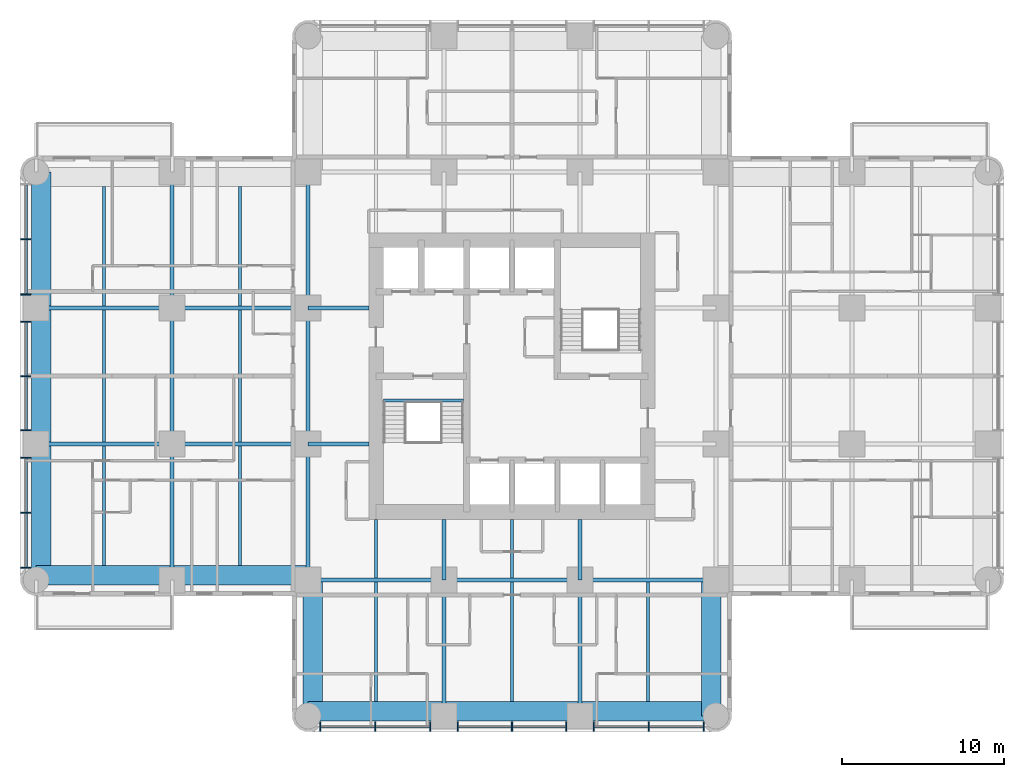
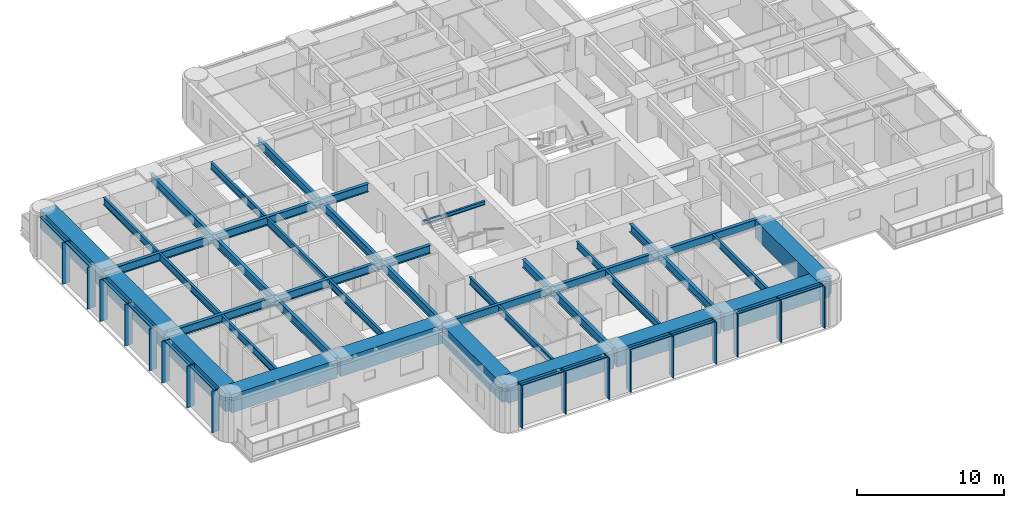
# One storey, part 2 of 15: 41 beams, 29 members, 2 elements without a shape of their own.
"""IFC4 building model written with IfcOpenShell, lengths in metres."""

from ifc_helpers import new_model, si_unit, direction, frame, origin, origin_2d, place, context, subcontext, project, spatial, rectangle, i_section, extrude, material, material_profile, profile_set, type_object, element, aggregate, save


model = new_model("IFC4")

# Units and contexts
model_context = context("Model", 3, precision=1e-05, world=origin(), true_north=direction((0.0, 1.0)))
body_context = subcontext(model_context, "Body", "Model", "MODEL_VIEW")
ifc_project = project(units=[si_unit("LENGTHUNIT", "METRE"), si_unit("AREAUNIT", "SQUARE_METRE"), si_unit("VOLUMEUNIT", "CUBIC_METRE"), si_unit("PLANEANGLEUNIT", "RADIAN"), si_unit("MASSUNIT", "GRAM", prefix="KILO")], contexts=[model_context])

# Site, building, storey
site_placement = place(None, origin())
site = spatial("IfcSite", under=ifc_project, at=site_placement, CompositionType="ELEMENT")
building_placement = place(site_placement, origin())
building = spatial("IfcBuilding", under=site, at=building_placement, Name="Torre Alcanfor", CompositionType="ELEMENT")
storey_placement = place(building_placement, frame((0.0, 0.0, 119.699951171875)))
storey = spatial("IfcBuildingStorey", under=building, at=storey_placement, Name="L30", CompositionType="ELEMENT", Elevation=119.699951171875)

# Curtain wall, members
ifc_material_1 = material(Name="Aluminium and glass", Category="aluminium")
curtain_wall_type = type_object("IfcCurtainWallType", Name="CW-A unitised apartment glazing with vertical FIN", PredefinedType="NOTDEFINED", material=ifc_material_1)
curtain_wall_1_placement = place(storey_placement, origin())
curtain_wall_1 = element("IfcCurtainWall", 1, at=curtain_wall_1_placement, inside=storey, type_object=curtain_wall_type, Name="Curtain wall CW-A L30 2", PredefinedType="NOTDEFINED")
ifc_material_2 = material(Name="Bronze anodised aluminium", Category="aluminium")
ifc_material_profile_1 = material_profile(ifc_material_2, rectangle(XDim=0.60009765625, YDim=0.06494140625, at=origin_2d()), Name="CW-A mullion 65x600")
ifc_profile_set_1 = profile_set([ifc_material_profile_1], Name="Bronze anodised aluminium")
member_type_1 = type_object("IfcMemberType", Name="CW-A mullion with vertical FIN 65x600", PredefinedType="MULLION", material=ifc_profile_set_1)
member_1_placement = place(storey_placement, frame((-0.64990234375, 37.840087890625, 0.0), z_axis=(0.0, 0.0, 1.0), x_axis=(1.0, 0.0, 0.0)))
member_1 = element("IfcMember", 2, at=member_1_placement, type_object=member_type_1, Name="CW-A mullion 1.2", PredefinedType="MULLION", context=body_context, shape_type="SweptSolid", body=[
    extrude(rectangle(XDim=0.60009765625, YDim=0.06494140625, at=origin_2d()), origin(), (0.0, 0.0, 1.0), 3.449951171875),
])
member_2_placement = place(storey_placement, frame((-0.64990234375, 34.4375, 0.0), z_axis=(0.0, 0.0, 1.0), x_axis=(1.0, 0.0, 0.0)))
member_2 = element("IfcMember", 3, at=member_2_placement, type_object=member_type_1, Name="CW-A mullion 1.3", PredefinedType="MULLION", context=body_context, shape_type="SweptSolid", body=[
    extrude(rectangle(XDim=0.60009765625, YDim=0.06494140625, at=origin_2d()), origin(), (0.0, 0.0, 1.0), 3.449951171875),
])
member_3_placement = place(storey_placement, frame((-0.64990234375, 32.762451171875, 0.0), z_axis=(0.0, 0.0, 1.0), x_axis=(1.0, 0.0, 0.0)))
member_3 = element("IfcMember", 4, at=member_3_placement, type_object=member_type_1, Name="CW-A mullion 2.1", PredefinedType="MULLION", context=body_context, shape_type="SweptSolid", body=[
    extrude(rectangle(XDim=0.60009765625, YDim=0.06494140625, at=origin_2d()), origin(), (0.0, 0.0, 1.0), 3.449951171875),
])
member_4_placement = place(storey_placement, frame((-0.64990234375, 29.39990234375, 0.0), z_axis=(0.0, 0.0, 1.0), x_axis=(1.0, 0.0, 0.0)))
member_4 = element("IfcMember", 5, at=member_4_placement, type_object=member_type_1, Name="CW-A mullion 2.2", PredefinedType="MULLION", context=body_context, shape_type="SweptSolid", body=[
    extrude(rectangle(XDim=0.60009765625, YDim=0.06494140625, at=origin_2d()), origin(), (0.0, 0.0, 1.0), 3.449951171875),
])
member_5_placement = place(storey_placement, frame((-0.64990234375, 26.03759765625, 0.0), z_axis=(0.0, 0.0, 1.0), x_axis=(1.0, 0.0, 0.0)))
member_5 = element("IfcMember", 6, at=member_5_placement, type_object=member_type_1, Name="CW-A mullion 2.3", PredefinedType="MULLION", context=body_context, shape_type="SweptSolid", body=[
    extrude(rectangle(XDim=0.60009765625, YDim=0.06494140625, at=origin_2d()), origin(), (0.0, 0.0, 1.0), 3.449951171875),
])
member_6_placement = place(storey_placement, frame((-0.64990234375, 24.362548828125, 0.0), z_axis=(0.0, 0.0, 1.0), x_axis=(1.0, 0.0, 0.0)))
member_6 = element("IfcMember", 7, at=member_6_placement, type_object=member_type_1, Name="CW-A mullion 3.1", PredefinedType="MULLION", context=body_context, shape_type="SweptSolid", body=[
    extrude(rectangle(XDim=0.60009765625, YDim=0.06494140625, at=origin_2d()), origin(), (0.0, 0.0, 1.0), 3.449951171875),
])
member_7_placement = place(storey_placement, frame((-0.64990234375, 20.9599609375, 0.0), z_axis=(0.0, 0.0, 1.0), x_axis=(1.0, 0.0, 0.0)))
member_7 = element("IfcMember", 8, at=member_7_placement, type_object=member_type_1, Name="CW-A mullion 3.2", PredefinedType="MULLION", context=body_context, shape_type="SweptSolid", body=[
    extrude(rectangle(XDim=0.60009765625, YDim=0.06494140625, at=origin_2d()), origin(), (0.0, 0.0, 1.0), 3.449951171875),
])
member_8_placement = place(storey_placement, frame((-0.64990234375, 17.557373046875, 0.0), z_axis=(0.0, 0.0, 1.0), x_axis=(1.0, 0.0, 0.0)))
member_8 = element("IfcMember", 9, at=member_8_placement, type_object=member_type_1, Name="CW-A mullion 3.3", PredefinedType="MULLION", context=body_context, shape_type="SweptSolid", body=[
    extrude(rectangle(XDim=0.60009765625, YDim=0.06494140625, at=origin_2d()), origin(), (0.0, 0.0, 1.0), 3.449951171875),
])

curtain_wall_2_placement = place(storey_placement, origin())
curtain_wall_2 = element("IfcCurtainWall", 10, at=curtain_wall_2_placement, inside=storey, type_object=curtain_wall_type, Name="Curtain wall CW-A L30 5", PredefinedType="NOTDEFINED")
member_9_placement = place(storey_placement, frame((17.557373046875, 7.75, 0.0), z_axis=(0.0, 0.0, 1.0), x_axis=(0.0, 1.0, 0.0)))
member_9 = element("IfcMember", 11, at=member_9_placement, type_object=member_type_1, Name="CW-A mullion 1.1", PredefinedType="MULLION", context=body_context, shape_type="SweptSolid", body=[
    extrude(rectangle(XDim=0.60009765625, YDim=0.06494140625, at=origin_2d()), origin(), (0.0, 0.0, 1.0), 3.449951171875),
])
member_10_placement = place(storey_placement, frame((20.9599609375, 7.75, 0.0), z_axis=(0.0, 0.0, 1.0), x_axis=(0.0, 1.0, 0.0)))
member_10 = element("IfcMember", 12, at=member_10_placement, type_object=member_type_1, Name="CW-A mullion 1.2", PredefinedType="MULLION", context=body_context, shape_type="SweptSolid", body=[
    extrude(rectangle(XDim=0.60009765625, YDim=0.06494140625, at=origin_2d()), origin(), (0.0, 0.0, 1.0), 3.449951171875),
])
member_11_placement = place(storey_placement, frame((24.362548828125, 7.75, 0.0), z_axis=(0.0, 0.0, 1.0), x_axis=(0.0, 1.0, 0.0)))
member_11 = element("IfcMember", 13, at=member_11_placement, type_object=member_type_1, Name="CW-A mullion 1.3", PredefinedType="MULLION", context=body_context, shape_type="SweptSolid", body=[
    extrude(rectangle(XDim=0.60009765625, YDim=0.06494140625, at=origin_2d()), origin(), (0.0, 0.0, 1.0), 3.449951171875),
])
member_12_placement = place(storey_placement, frame((26.03759765625, 7.75, 0.0), z_axis=(0.0, 0.0, 1.0), x_axis=(0.0, 1.0, 0.0)))
member_12 = element("IfcMember", 14, at=member_12_placement, type_object=member_type_1, Name="CW-A mullion 2.1", PredefinedType="MULLION", context=body_context, shape_type="SweptSolid", body=[
    extrude(rectangle(XDim=0.60009765625, YDim=0.06494140625, at=origin_2d()), origin(), (0.0, 0.0, 1.0), 3.449951171875),
])
member_13_placement = place(storey_placement, frame((29.39990234375, 7.75, 0.0), z_axis=(0.0, 0.0, 1.0), x_axis=(0.0, 1.0, 0.0)))
member_13 = element("IfcMember", 15, at=member_13_placement, type_object=member_type_1, Name="CW-A mullion 2.2", PredefinedType="MULLION", context=body_context, shape_type="SweptSolid", body=[
    extrude(rectangle(XDim=0.60009765625, YDim=0.06494140625, at=origin_2d()), origin(), (0.0, 0.0, 1.0), 3.449951171875),
])
member_14_placement = place(storey_placement, frame((32.762451171875, 7.75, 0.0), z_axis=(0.0, 0.0, 1.0), x_axis=(0.0, 1.0, 0.0)))
member_14 = element("IfcMember", 16, at=member_14_placement, type_object=member_type_1, Name="CW-A mullion 2.3", PredefinedType="MULLION", context=body_context, shape_type="SweptSolid", body=[
    extrude(rectangle(XDim=0.60009765625, YDim=0.06494140625, at=origin_2d()), origin(), (0.0, 0.0, 1.0), 3.449951171875),
])
member_15_placement = place(storey_placement, frame((34.4375, 7.75, 0.0), z_axis=(0.0, 0.0, 1.0), x_axis=(0.0, 1.0, 0.0)))
member_15 = element("IfcMember", 17, at=member_15_placement, type_object=member_type_1, Name="CW-A mullion 3.1", PredefinedType="MULLION", context=body_context, shape_type="SweptSolid", body=[
    extrude(rectangle(XDim=0.60009765625, YDim=0.06494140625, at=origin_2d()), origin(), (0.0, 0.0, 1.0), 3.449951171875),
])
member_16_placement = place(storey_placement, frame((37.840087890625, 7.75, 0.0), z_axis=(0.0, 0.0, 1.0), x_axis=(0.0, 1.0, 0.0)))
member_16 = element("IfcMember", 18, at=member_16_placement, type_object=member_type_1, Name="CW-A mullion 3.2", PredefinedType="MULLION", context=body_context, shape_type="SweptSolid", body=[
    extrude(rectangle(XDim=0.60009765625, YDim=0.06494140625, at=origin_2d()), origin(), (0.0, 0.0, 1.0), 3.449951171875),
])
member_17_placement = place(storey_placement, frame((41.24267578125, 7.75, 0.0), z_axis=(0.0, 0.0, 1.0), x_axis=(0.0, 1.0, 0.0)))
member_17 = element("IfcMember", 19, at=member_17_placement, type_object=member_type_1, Name="CW-A mullion 3.3", PredefinedType="MULLION", context=body_context, shape_type="SweptSolid", body=[
    extrude(rectangle(XDim=0.60009765625, YDim=0.06494140625, at=origin_2d()), origin(), (0.0, 0.0, 1.0), 3.449951171875),
])

# Member
ifc_material_3 = material(Name="Extruded aluminium", Category="aluminium")
ifc_material_profile_2 = material_profile(ifc_material_3, rectangle(XDim=0.199951171875, YDim=0.06494140625, at=origin_2d()), Name="CW-A transom 200x65")
ifc_profile_set_2 = profile_set([ifc_material_profile_2], Name="Extruded aluminium")
member_type_2 = type_object("IfcMemberType", Name="CW-A transom 65x200", PredefinedType="USERDEFINED", material=ifc_profile_set_2)
member_18_placement = place(storey_placement, frame((-0.64990234375, 41.210205078125, 3.41748046875), z_axis=(0.0, -1.0, 0.0), x_axis=(1.0, 0.0, 0.0)))
member_18 = element("IfcMember", 20, at=member_18_placement, type_object=member_type_2, Name="CW-A transom 1.1.2", ObjectType="TRANSOM", PredefinedType="USERDEFINED", context=body_context, shape_type="SweptSolid", body=[
    extrude(rectangle(XDim=0.199951171875, YDim=0.06494140625, at=origin_2d()), origin(), (0.0, 0.0, 1.0), 3.337646484375),
])

member_19_placement = place(storey_placement, frame((-0.64990234375, 37.8076171875, 3.41748046875), z_axis=(0.0, -1.0, 0.0), x_axis=(1.0, 0.0, 0.0)))
member_19 = element("IfcMember", 21, at=member_19_placement, type_object=member_type_2, Name="CW-A transom 1.2.2", ObjectType="TRANSOM", PredefinedType="USERDEFINED", context=body_context, shape_type="SweptSolid", body=[
    extrude(rectangle(XDim=0.199951171875, YDim=0.06494140625, at=origin_2d()), origin(), (0.0, 0.0, 1.0), 3.337646484375),
])

member_20_placement = place(storey_placement, frame((-0.64990234375, 32.72998046875, 3.41748046875), z_axis=(0.0, -1.0, 0.0), x_axis=(1.0, 0.0, 0.0)))
member_20 = element("IfcMember", 22, at=member_20_placement, type_object=member_type_2, Name="CW-A transom 2.1.2", ObjectType="TRANSOM", PredefinedType="USERDEFINED", context=body_context, shape_type="SweptSolid", body=[
    extrude(rectangle(XDim=0.199951171875, YDim=0.06494140625, at=origin_2d()), origin(), (0.0, 0.0, 1.0), 3.29736328125),
])

member_21_placement = place(storey_placement, frame((-0.64990234375, 29.367431640625, 3.41748046875), z_axis=(0.0, -1.0, 0.0), x_axis=(1.0, 0.0, 0.0)))
member_21 = element("IfcMember", 23, at=member_21_placement, type_object=member_type_2, Name="CW-A transom 2.2.2", ObjectType="TRANSOM", PredefinedType="USERDEFINED", context=body_context, shape_type="SweptSolid", body=[
    extrude(rectangle(XDim=0.199951171875, YDim=0.06494140625, at=origin_2d()), origin(), (0.0, 0.0, 1.0), 3.29736328125),
])

member_22_placement = place(storey_placement, frame((-0.64990234375, 24.330078125, 3.41748046875), z_axis=(0.0, -1.0, 0.0), x_axis=(1.0, 0.0, 0.0)))
member_22 = element("IfcMember", 24, at=member_22_placement, type_object=member_type_2, Name="CW-A transom 3.1.2", ObjectType="TRANSOM", PredefinedType="USERDEFINED", context=body_context, shape_type="SweptSolid", body=[
    extrude(rectangle(XDim=0.199951171875, YDim=0.06494140625, at=origin_2d()), origin(), (0.0, 0.0, 1.0), 3.337646484375),
])

member_23_placement = place(storey_placement, frame((-0.64990234375, 20.927490234375, 3.41748046875), z_axis=(0.0, -1.0, 0.0), x_axis=(1.0, 0.0, 0.0)))
member_23 = element("IfcMember", 25, at=member_23_placement, type_object=member_type_2, Name="CW-A transom 3.2.2", ObjectType="TRANSOM", PredefinedType="USERDEFINED", context=body_context, shape_type="SweptSolid", body=[
    extrude(rectangle(XDim=0.199951171875, YDim=0.06494140625, at=origin_2d()), origin(), (0.0, 0.0, 1.0), 3.337646484375),
])

aggregate(curtain_wall_1, [member_1, member_2, member_18, member_19, member_3, member_4, member_5, member_20, member_21, member_6, member_7, member_8, member_22, member_23])

member_24_placement = place(storey_placement, frame((17.58984375, 7.75, 3.41748046875), z_axis=(1.0, 0.0, 0.0), x_axis=(0.0, 1.0, 0.0)))
member_24 = element("IfcMember", 26, at=member_24_placement, type_object=member_type_2, Name="CW-A transom 1.1.2", ObjectType="TRANSOM", PredefinedType="USERDEFINED", context=body_context, shape_type="SweptSolid", body=[
    extrude(rectangle(XDim=0.199951171875, YDim=0.06494140625, at=origin_2d()), origin(), (0.0, 0.0, 1.0), 3.337646484375),
])

member_25_placement = place(storey_placement, frame((20.992431640625, 7.75, 3.41748046875), z_axis=(1.0, 0.0, 0.0), x_axis=(0.0, 1.0, 0.0)))
member_25 = element("IfcMember", 27, at=member_25_placement, type_object=member_type_2, Name="CW-A transom 1.2.2", ObjectType="TRANSOM", PredefinedType="USERDEFINED", context=body_context, shape_type="SweptSolid", body=[
    extrude(rectangle(XDim=0.199951171875, YDim=0.06494140625, at=origin_2d()), origin(), (0.0, 0.0, 1.0), 3.337646484375),
])

member_26_placement = place(storey_placement, frame((26.070068359375, 7.75, 3.41748046875), z_axis=(1.0, 0.0, 0.0), x_axis=(0.0, 1.0, 0.0)))
member_26 = element("IfcMember", 28, at=member_26_placement, type_object=member_type_2, Name="CW-A transom 2.1.2", ObjectType="TRANSOM", PredefinedType="USERDEFINED", context=body_context, shape_type="SweptSolid", body=[
    extrude(rectangle(XDim=0.199951171875, YDim=0.06494140625, at=origin_2d()), origin(), (0.0, 0.0, 1.0), 3.29736328125),
])

member_27_placement = place(storey_placement, frame((29.4326171875, 7.75, 3.41748046875), z_axis=(1.0, 0.0, 0.0), x_axis=(0.0, 1.0, 0.0)))
member_27 = element("IfcMember", 29, at=member_27_placement, type_object=member_type_2, Name="CW-A transom 2.2.2", ObjectType="TRANSOM", PredefinedType="USERDEFINED", context=body_context, shape_type="SweptSolid", body=[
    extrude(rectangle(XDim=0.199951171875, YDim=0.06494140625, at=origin_2d()), origin(), (0.0, 0.0, 1.0), 3.29736328125),
])

member_28_placement = place(storey_placement, frame((34.469970703125, 7.75, 3.41748046875), z_axis=(1.0, 0.0, 0.0), x_axis=(0.0, 1.0, 0.0)))
member_28 = element("IfcMember", 30, at=member_28_placement, type_object=member_type_2, Name="CW-A transom 3.1.2", ObjectType="TRANSOM", PredefinedType="USERDEFINED", context=body_context, shape_type="SweptSolid", body=[
    extrude(rectangle(XDim=0.199951171875, YDim=0.06494140625, at=origin_2d()), origin(), (0.0, 0.0, 1.0), 3.337646484375),
])

member_29_placement = place(storey_placement, frame((37.87255859375, 7.75, 3.41748046875), z_axis=(1.0, 0.0, 0.0), x_axis=(0.0, 1.0, 0.0)))
member_29 = element("IfcMember", 31, at=member_29_placement, type_object=member_type_2, Name="CW-A transom 3.2.2", ObjectType="TRANSOM", PredefinedType="USERDEFINED", context=body_context, shape_type="SweptSolid", body=[
    extrude(rectangle(XDim=0.199951171875, YDim=0.06494140625, at=origin_2d()), origin(), (0.0, 0.0, 1.0), 3.337646484375),
])

aggregate(curtain_wall_2, [member_9, member_10, member_11, member_24, member_25, member_12, member_13, member_14, member_26, member_27, member_15, member_16, member_17, member_28, member_29])

# Beams
ifc_material_4 = material(Name="Steel ASTM A992 Grade 50", Category="steel")
ifc_material_profile_3 = material_profile(ifc_material_4, i_section(OverallWidth=0.25390625, OverallDepth=0.683349609375, WebThickness=0.012451171875, FlangeThickness=0.01904296875, at=origin_2d()), Name="W27x94")
ifc_profile_set_3 = profile_set([ifc_material_profile_3], Name="Steel ASTM A992 Grade 50")
beam_type_1 = type_object("IfcBeamType", Name="Girder W27x94", PredefinedType="BEAM", material=ifc_profile_set_3)
beam_1_placement = place(storey_placement, frame((16.800048828125, 16.800048828125, 3.1083984375), z_axis=(1.0, 0.0, 0.0), x_axis=(0.0, 1.0, 0.0)))
element("IfcBeam", 32, at=beam_1_placement, inside=storey, type_object=beam_type_1, Name="Beam 3E-4E under L31", PredefinedType="BEAM", context=body_context, shape_type="SweptSolid", body=[
    extrude(i_section(OverallWidth=0.25390625, OverallDepth=0.683349609375, WebThickness=0.012451171875, FlangeThickness=0.01904296875, at=origin_2d()), origin(), (0.0, 0.0, 1.0), 8.39990234375),
])
beam_2_placement = place(storey_placement, frame((25.199951171875, 16.800048828125, 3.1083984375), z_axis=(1.0, 0.0, 0.0), x_axis=(0.0, 1.0, 0.0)))
element("IfcBeam", 33, at=beam_2_placement, inside=storey, type_object=beam_type_1, Name="Beam 4E-5E under L31", PredefinedType="BEAM", context=body_context, shape_type="SweptSolid", body=[
    extrude(i_section(OverallWidth=0.25390625, OverallDepth=0.683349609375, WebThickness=0.012451171875, FlangeThickness=0.01904296875, at=origin_2d()), origin(), (0.0, 0.0, 1.0), 8.400146484375),
])
for number, where, z_axis, x_axis, name in (
    (34, (33.60009765625, 16.800048828125, 3.1083984375), (1.0, 0.0, 0.0), (0.0, 1.0, 0.0), "Beam 5E-6E under L31"),
    (35, (0.0, 25.199951171875, 3.1083984375), (1.0, 0.0, 0.0), (0.0, 1.0, 0.0), "Beam 1F-2F under L31"),
):
    element("IfcBeam", number, at=place(storey_placement, frame(where, z_axis=z_axis, x_axis=x_axis)), inside=storey, type_object=beam_type_1, Name=name, PredefinedType="BEAM", context=body_context, shape_type="SweptSolid", body=[
        extrude(i_section(OverallWidth=0.25390625, OverallDepth=0.683349609375, WebThickness=0.012451171875, FlangeThickness=0.01904296875, at=origin_2d()), origin(), (0.0, 0.0, 1.0), 8.39990234375),
    ])
beam_3_placement = place(storey_placement, frame((8.39990234375, 25.199951171875, 3.1083984375), z_axis=(1.0, 0.0, 0.0), x_axis=(0.0, 1.0, 0.0)))
element("IfcBeam", 36, at=beam_3_placement, inside=storey, type_object=beam_type_1, Name="Beam 2F-3F under L31", PredefinedType="BEAM", context=body_context, shape_type="SweptSolid", body=[
    extrude(i_section(OverallWidth=0.25390625, OverallDepth=0.683349609375, WebThickness=0.012451171875, FlangeThickness=0.01904296875, at=origin_2d()), origin(), (0.0, 0.0, 1.0), 8.400146484375),
])
beam_4_placement = place(storey_placement, frame((0.0, 33.60009765625, 3.1083984375), z_axis=(1.0, 0.0, 0.0), x_axis=(0.0, 1.0, 0.0)))
element("IfcBeam", 37, at=beam_4_placement, inside=storey, type_object=beam_type_1, Name="Beam 1G-2G under L31", PredefinedType="BEAM", context=body_context, shape_type="SweptSolid", body=[
    extrude(i_section(OverallWidth=0.25390625, OverallDepth=0.683349609375, WebThickness=0.012451171875, FlangeThickness=0.01904296875, at=origin_2d()), origin(), (0.0, 0.0, 1.0), 8.39990234375),
])
beam_5_placement = place(storey_placement, frame((8.39990234375, 33.60009765625, 3.1083984375), z_axis=(1.0, 0.0, 0.0), x_axis=(0.0, 1.0, 0.0)))
element("IfcBeam", 38, at=beam_5_placement, inside=storey, type_object=beam_type_1, Name="Beam 2G-3G under L31", PredefinedType="BEAM", context=body_context, shape_type="SweptSolid", body=[
    extrude(i_section(OverallWidth=0.25390625, OverallDepth=0.683349609375, WebThickness=0.012451171875, FlangeThickness=0.01904296875, at=origin_2d()), origin(), (0.0, 0.0, 1.0), 8.400146484375),
])
beam_6_placement = place(storey_placement, frame((8.39990234375, 16.800048828125, 3.1083984375), z_axis=(0.0, 1.0, 0.0), x_axis=(-1.0, 0.0, 0.0)))
element("IfcBeam", 39, at=beam_6_placement, inside=storey, type_object=beam_type_1, Name="Beam 2E-2F under L31", PredefinedType="BEAM", context=body_context, shape_type="SweptSolid", body=[
    extrude(i_section(OverallWidth=0.25390625, OverallDepth=0.683349609375, WebThickness=0.012451171875, FlangeThickness=0.01904296875, at=origin_2d()), origin(), (0.0, 0.0, 1.0), 8.39990234375),
])
beam_7_placement = place(storey_placement, frame((8.39990234375, 25.199951171875, 3.1083984375), z_axis=(0.0, 1.0, 0.0), x_axis=(-1.0, 0.0, 0.0)))
element("IfcBeam", 40, at=beam_7_placement, inside=storey, type_object=beam_type_1, Name="Beam 2F-2G under L31", PredefinedType="BEAM", context=body_context, shape_type="SweptSolid", body=[
    extrude(i_section(OverallWidth=0.25390625, OverallDepth=0.683349609375, WebThickness=0.012451171875, FlangeThickness=0.01904296875, at=origin_2d()), origin(), (0.0, 0.0, 1.0), 8.400146484375),
])
for number, where, z_axis, x_axis, name in (
    (41, (8.39990234375, 33.60009765625, 3.1083984375), (0.0, 1.0, 0.0), (-1.0, 0.0, 0.0), "Beam 2G-2H under L31"),
    (42, (16.800048828125, 16.800048828125, 3.1083984375), (0.0, 1.0, 0.0), (-1.0, 0.0, 0.0), "Beam 3E-3F under L31"),
):
    element("IfcBeam", number, at=place(storey_placement, frame(where, z_axis=z_axis, x_axis=x_axis)), inside=storey, type_object=beam_type_1, Name=name, PredefinedType="BEAM", context=body_context, shape_type="SweptSolid", body=[
        extrude(i_section(OverallWidth=0.25390625, OverallDepth=0.683349609375, WebThickness=0.012451171875, FlangeThickness=0.01904296875, at=origin_2d()), origin(), (0.0, 0.0, 1.0), 8.39990234375),
    ])
beam_8_placement = place(storey_placement, frame((16.800048828125, 25.199951171875, 3.1083984375), z_axis=(0.0, 1.0, 0.0), x_axis=(-1.0, 0.0, 0.0)))
element("IfcBeam", 43, at=beam_8_placement, inside=storey, type_object=beam_type_1, Name="Beam 3F-3G under L31", PredefinedType="BEAM", context=body_context, shape_type="SweptSolid", body=[
    extrude(i_section(OverallWidth=0.25390625, OverallDepth=0.683349609375, WebThickness=0.012451171875, FlangeThickness=0.01904296875, at=origin_2d()), origin(), (0.0, 0.0, 1.0), 8.400146484375),
])
beam_9_placement = place(storey_placement, frame((16.800048828125, 33.60009765625, 3.1083984375), z_axis=(0.0, 1.0, 0.0), x_axis=(-1.0, 0.0, 0.0)))
element("IfcBeam", 44, at=beam_9_placement, inside=storey, type_object=beam_type_1, Name="Beam 3G-3H under L31", PredefinedType="BEAM", context=body_context, shape_type="SweptSolid", body=[
    extrude(i_section(OverallWidth=0.25390625, OverallDepth=0.683349609375, WebThickness=0.012451171875, FlangeThickness=0.01904296875, at=origin_2d()), origin(), (0.0, 0.0, 1.0), 8.39990234375),
])
for number, where, z_axis, x_axis, name in (
    (45, (25.199951171875, 8.39990234375, 3.1083984375), (0.0, 1.0, 0.0), (-1.0, 0.0, 0.0), "Beam 4D-4E under L31"),
    (46, (33.60009765625, 8.39990234375, 3.1083984375), (0.0, 1.0, 0.0), (-1.0, 0.0, 0.0), "Beam 5D-5E under L31"),
):
    element("IfcBeam", number, at=place(storey_placement, frame(where, z_axis=z_axis, x_axis=x_axis)), inside=storey, type_object=beam_type_1, Name=name, PredefinedType="BEAM", context=body_context, shape_type="SweptSolid", body=[
        extrude(i_section(OverallWidth=0.25390625, OverallDepth=0.683349609375, WebThickness=0.012451171875, FlangeThickness=0.01904296875, at=origin_2d()), origin(), (0.0, 0.0, 1.0), 8.400146484375),
    ])
ifc_material_5 = material(Name="Steel ASTM A992 Grade 50", Category="steel")
ifc_material_profile_4 = material_profile(ifc_material_5, i_section(OverallWidth=0.25390625, OverallDepth=0.683349609375, WebThickness=0.012451171875, FlangeThickness=0.01904296875, at=origin_2d()), Name="W27x94")
ifc_profile_set_4 = profile_set([ifc_material_profile_4], Name="Steel ASTM A992 Grade 50")
beam_type_2 = type_object("IfcBeamType", Name="Girder, part bay W27x94", PredefinedType="BEAM", material=ifc_profile_set_4)
for number, where, z_axis, x_axis, name in (
    (47, (25.199951171875, 16.800048828125, 3.1083984375), (0.0, 1.0, 0.0), (-1.0, 0.0, 0.0), "Beam 4E-420_55 under L31"),
    (48, (33.60009765625, 16.800048828125, 3.1083984375), (0.0, 1.0, 0.0), (-1.0, 0.0, 0.0), "Beam 5E-520_55 under L31"),
    (49, (16.800048828125, 25.199951171875, 3.1083984375), (1.0, 0.0, 0.0), (0.0, 1.0, 0.0), "Beam 3F-20_55F under L31"),
    (50, (16.800048828125, 33.60009765625, 3.1083984375), (1.0, 0.0, 0.0), (0.0, 1.0, 0.0), "Beam 3G-20_55G under L31"),
):
    element("IfcBeam", number, at=place(storey_placement, frame(where, z_axis=z_axis, x_axis=x_axis)), inside=storey, type_object=beam_type_2, Name=name, PredefinedType="BEAM", context=body_context, shape_type="SweptSolid", body=[
        extrude(i_section(OverallWidth=0.25390625, OverallDepth=0.683349609375, WebThickness=0.012451171875, FlangeThickness=0.01904296875, at=origin_2d()), origin(), (0.0, 0.0, 1.0), 3.75),
    ])
ifc_material_6 = material(Name="Concrete f'c 70 MPa", Category="concrete")
ifc_material_profile_5 = material_profile(ifc_material_6, rectangle(XDim=1.199951171875, YDim=1.5, at=origin_2d()), Name="1200x1500")
ifc_profile_set_5 = profile_set([ifc_material_profile_5], Name="Concrete f'c 70 MPa")
beam_type_3 = type_object("IfcBeamType", Name="RC perimeter beam 1200x1500", PredefinedType="BEAM", material=ifc_profile_set_5)
beam_10_placement = place(storey_placement, frame((16.800048828125, 8.699951171875, 2.699951171875), z_axis=(1.0, 0.0, 0.0), x_axis=(0.0, 1.0, 0.0)))
element("IfcBeam", 51, at=beam_10_placement, inside=storey, type_object=beam_type_3, Name="Beam 3D-4D under L31", PredefinedType="BEAM", context=body_context, shape_type="SweptSolid", body=[
    extrude(rectangle(XDim=1.199951171875, YDim=1.5, at=origin_2d()), origin(), (0.0, 0.0, 1.0), 8.27294921875),
])
beam_11_placement = place(storey_placement, frame((25.326904296875, 8.699951171875, 2.699951171875), z_axis=(1.0, 0.0, 0.0), x_axis=(0.0, 1.0, 0.0)))
element("IfcBeam", 52, at=beam_11_placement, inside=storey, type_object=beam_type_3, Name="Beam 4D-5D under L31", PredefinedType="BEAM", context=body_context, shape_type="SweptSolid", body=[
    extrude(rectangle(XDim=1.199951171875, YDim=1.5, at=origin_2d()), origin(), (0.0, 0.0, 1.0), 8.14599609375),
])
for number, where, z_axis, x_axis, name in (
    (53, (33.72705078125, 8.699951171875, 2.699951171875), (1.0, 0.0, 0.0), (0.0, 1.0, 0.0), "Beam 5D-6D under L31"),
    (54, (0.0, 17.10009765625, 2.699951171875), (1.0, 0.0, 0.0), (0.0, 1.0, 0.0), "Beam 1E-2E under L31"),
):
    element("IfcBeam", number, at=place(storey_placement, frame(where, z_axis=z_axis, x_axis=x_axis)), inside=storey, type_object=beam_type_3, Name=name, PredefinedType="BEAM", context=body_context, shape_type="SweptSolid", body=[
        extrude(rectangle(XDim=1.199951171875, YDim=1.5, at=origin_2d()), origin(), (0.0, 0.0, 1.0), 8.27294921875),
    ])
beam_12_placement = place(storey_placement, frame((8.527099609375, 17.10009765625, 2.699951171875), z_axis=(1.0, 0.0, 0.0), x_axis=(0.0, 1.0, 0.0)))
element("IfcBeam", 55, at=beam_12_placement, inside=storey, type_object=beam_type_3, Name="Beam 2E-3E under L31", PredefinedType="BEAM", context=body_context, shape_type="SweptSolid", body=[
    extrude(rectangle(XDim=1.199951171875, YDim=1.5, at=origin_2d()), origin(), (0.0, 0.0, 1.0), 8.39990234375),
])
beam_13_placement = place(storey_placement, frame((0.300048828125, 16.800048828125, 2.699951171875), z_axis=(0.0, 1.0, 0.0), x_axis=(-1.0, 0.0, 0.0)))
element("IfcBeam", 56, at=beam_13_placement, inside=storey, type_object=beam_type_3, Name="Beam 1E-1F under L31", PredefinedType="BEAM", context=body_context, shape_type="SweptSolid", body=[
    extrude(rectangle(XDim=1.199951171875, YDim=1.5, at=origin_2d()), origin(), (0.0, 0.0, 1.0), 8.27294921875),
])
beam_14_placement = place(storey_placement, frame((0.300048828125, 25.326904296875, 2.699951171875), z_axis=(0.0, 1.0, 0.0), x_axis=(-1.0, 0.0, 0.0)))
element("IfcBeam", 57, at=beam_14_placement, inside=storey, type_object=beam_type_3, Name="Beam 1F-1G under L31", PredefinedType="BEAM", context=body_context, shape_type="SweptSolid", body=[
    extrude(rectangle(XDim=1.199951171875, YDim=1.5, at=origin_2d()), origin(), (0.0, 0.0, 1.0), 8.14599609375),
])
beam_15_placement = place(storey_placement, frame((0.300048828125, 33.72705078125, 2.699951171875), z_axis=(0.0, 1.0, 0.0), x_axis=(-1.0, 0.0, 0.0)))
element("IfcBeam", 58, at=beam_15_placement, inside=storey, type_object=beam_type_3, Name="Beam 1G-1H under L31", PredefinedType="BEAM", context=body_context, shape_type="SweptSolid", body=[
    extrude(rectangle(XDim=1.199951171875, YDim=1.5, at=origin_2d()), origin(), (0.0, 0.0, 1.0), 8.27294921875),
])
for number, where, z_axis, x_axis, name in (
    (59, (17.10009765625, 8.39990234375, 2.699951171875), (0.0, 1.0, 0.0), (-1.0, 0.0, 0.0), "Beam 3D-3E under L31"),
    (60, (41.699951171875, 8.39990234375, 2.699951171875), (0.0, 1.0, 0.0), (-1.0, 0.0, 0.0), "Beam 6D-6E under L31"),
):
    element("IfcBeam", number, at=place(storey_placement, frame(where, z_axis=z_axis, x_axis=x_axis)), inside=storey, type_object=beam_type_3, Name=name, PredefinedType="BEAM", context=body_context, shape_type="SweptSolid", body=[
        extrude(rectangle(XDim=1.199951171875, YDim=1.5, at=origin_2d()), origin(), (0.0, 0.0, 1.0), 8.273193359375),
    ])
ifc_material_7 = material(Name="Steel ASTM A992 Grade 50", Category="steel")
ifc_material_profile_6 = material_profile(ifc_material_7, i_section(OverallWidth=0.1787109375, OverallDepth=0.60205078125, WebThickness=0.010986328125, FlangeThickness=0.014892578125, at=origin_2d()), Name="W24x62")
ifc_profile_set_6 = profile_set([ifc_material_profile_6], Name="Steel ASTM A992 Grade 50")
beam_type_4 = type_object("IfcBeamType", Name="Secondary beam W24x62", PredefinedType="BEAM", material=ifc_profile_set_6)
beam_16_placement = place(storey_placement, frame((4.199951171875, 17.699951171875, 3.149169921875), z_axis=(0.0, 1.0, 0.0), x_axis=(-1.0, 0.0, 0.0)))
element("IfcBeam", 61, at=beam_16_placement, inside=storey, type_object=beam_type_4, Name="Beam 4_2E-4_2F under L31", PredefinedType="BEAM", context=body_context, shape_type="SweptSolid", body=[
    extrude(i_section(OverallWidth=0.1787109375, OverallDepth=0.60205078125, WebThickness=0.010986328125, FlangeThickness=0.014892578125, at=origin_2d()), origin(), (0.0, 0.0, 1.0), 7.373046875),
])
beam_17_placement = place(storey_placement, frame((4.199951171875, 25.326904296875, 3.149169921875), z_axis=(0.0, 1.0, 0.0), x_axis=(-1.0, 0.0, 0.0)))
element("IfcBeam", 62, at=beam_17_placement, inside=storey, type_object=beam_type_4, Name="Beam 4_2F-4_2G under L31", PredefinedType="BEAM", context=body_context, shape_type="SweptSolid", body=[
    extrude(i_section(OverallWidth=0.1787109375, OverallDepth=0.60205078125, WebThickness=0.010986328125, FlangeThickness=0.014892578125, at=origin_2d()), origin(), (0.0, 0.0, 1.0), 8.14599609375),
])
for number, where, z_axis, x_axis, name in (
    (63, (4.199951171875, 33.72705078125, 3.149169921875), (0.0, 1.0, 0.0), (-1.0, 0.0, 0.0), "Beam 4_2G-4_2H under L31"),
    (64, (12.60009765625, 17.699951171875, 3.149169921875), (0.0, 1.0, 0.0), (-1.0, 0.0, 0.0), "Beam 12_6E-12_6F under L31"),
):
    element("IfcBeam", number, at=place(storey_placement, frame(where, z_axis=z_axis, x_axis=x_axis)), inside=storey, type_object=beam_type_4, Name=name, PredefinedType="BEAM", context=body_context, shape_type="SweptSolid", body=[
        extrude(i_section(OverallWidth=0.1787109375, OverallDepth=0.60205078125, WebThickness=0.010986328125, FlangeThickness=0.014892578125, at=origin_2d()), origin(), (0.0, 0.0, 1.0), 7.373046875),
    ])
beam_18_placement = place(storey_placement, frame((12.60009765625, 25.326904296875, 3.149169921875), z_axis=(0.0, 1.0, 0.0), x_axis=(-1.0, 0.0, 0.0)))
element("IfcBeam", 65, at=beam_18_placement, inside=storey, type_object=beam_type_4, Name="Beam 12_6F-12_6G under L31", PredefinedType="BEAM", context=body_context, shape_type="SweptSolid", body=[
    extrude(i_section(OverallWidth=0.1787109375, OverallDepth=0.60205078125, WebThickness=0.010986328125, FlangeThickness=0.014892578125, at=origin_2d()), origin(), (0.0, 0.0, 1.0), 8.14599609375),
])
for number, where, z_axis, x_axis, name in (
    (66, (12.60009765625, 33.72705078125, 3.149169921875), (0.0, 1.0, 0.0), (-1.0, 0.0, 0.0), "Beam 12_6G-12_6H under L31"),
    (67, (21.0, 9.300048828125, 3.149169921875), (0.0, 1.0, 0.0), (-1.0, 0.0, 0.0), "Beam 21D-21E under L31"),
    (68, (29.39990234375, 9.300048828125, 3.149169921875), (0.0, 1.0, 0.0), (-1.0, 0.0, 0.0), "Beam 29_4D-29_4E under L31"),
    (69, (37.800048828125, 9.300048828125, 3.149169921875), (0.0, 1.0, 0.0), (-1.0, 0.0, 0.0), "Beam 37_8D-37_8E under L31"),
):
    element("IfcBeam", number, at=place(storey_placement, frame(where, z_axis=z_axis, x_axis=x_axis)), inside=storey, type_object=beam_type_4, Name=name, PredefinedType="BEAM", context=body_context, shape_type="SweptSolid", body=[
        extrude(i_section(OverallWidth=0.1787109375, OverallDepth=0.60205078125, WebThickness=0.010986328125, FlangeThickness=0.014892578125, at=origin_2d()), origin(), (0.0, 0.0, 1.0), 7.373046875),
    ])
ifc_material_8 = material(Name="Steel ASTM A992 Grade 50", Category="steel")
ifc_material_profile_7 = material_profile(ifc_material_8, i_section(OverallWidth=0.1787109375, OverallDepth=0.60205078125, WebThickness=0.010986328125, FlangeThickness=0.014892578125, at=origin_2d()), Name="W24x62")
ifc_profile_set_7 = profile_set([ifc_material_profile_7], Name="Steel ASTM A992 Grade 50")
beam_type_5 = type_object("IfcBeamType", Name="Secondary beam, part bay W24x62", PredefinedType="BEAM", material=ifc_profile_set_7)
for number, where, z_axis, x_axis, name in (
    (70, (21.0, 16.927001953125, 3.149169921875), (0.0, 1.0, 0.0), (-1.0, 0.0, 0.0), "Beam 21E-2120_55 under L31"),
    (71, (29.39990234375, 16.927001953125, 3.149169921875), (0.0, 1.0, 0.0), (-1.0, 0.0, 0.0), "Beam 29_4E-29_420_55 under L31"),
):
    element("IfcBeam", number, at=place(storey_placement, frame(where, z_axis=z_axis, x_axis=x_axis)), inside=storey, type_object=beam_type_5, Name=name, PredefinedType="BEAM", context=body_context, shape_type="SweptSolid", body=[
        extrude(i_section(OverallWidth=0.1787109375, OverallDepth=0.60205078125, WebThickness=0.010986328125, FlangeThickness=0.014892578125, at=origin_2d()), origin(), (0.0, 0.0, 1.0), 3.623046875),
    ])
ifc_material_9 = material(Name="Steel ASTM A992 Grade 50", Category="steel")
ifc_material_profile_8 = material_profile(ifc_material_9, i_section(OverallWidth=0.164794921875, OverallDepth=0.309814453125, WebThickness=0.005859375, FlangeThickness=0.009765625, at=origin_2d()), Name="W12x26")
ifc_profile_set_8 = profile_set([ifc_material_profile_8], Name="Steel ASTM A992 Grade 50")
beam_type_6 = type_object("IfcBeamType", Name="Stair landing beam W12x26", PredefinedType="BEAM", material=ifc_profile_set_8)
beam_19_placement = place(storey_placement, frame((21.449951171875, 27.887451171875, 3.2451171875), z_axis=(1.0, 0.0, 0.0), x_axis=(0.0, 1.0, 0.0)))
element("IfcBeam", 72, at=beam_19_placement, inside=storey, type_object=beam_type_6, Name="Landing trimmer S1 L31", PredefinedType="BEAM", context=body_context, shape_type="SweptSolid", body=[
    extrude(i_section(OverallWidth=0.164794921875, OverallDepth=0.309814453125, WebThickness=0.005859375, FlangeThickness=0.009765625, at=origin_2d()), origin(), (0.0, 0.0, 1.0), 4.949951171875),
])

save(model, "model.ifc")
